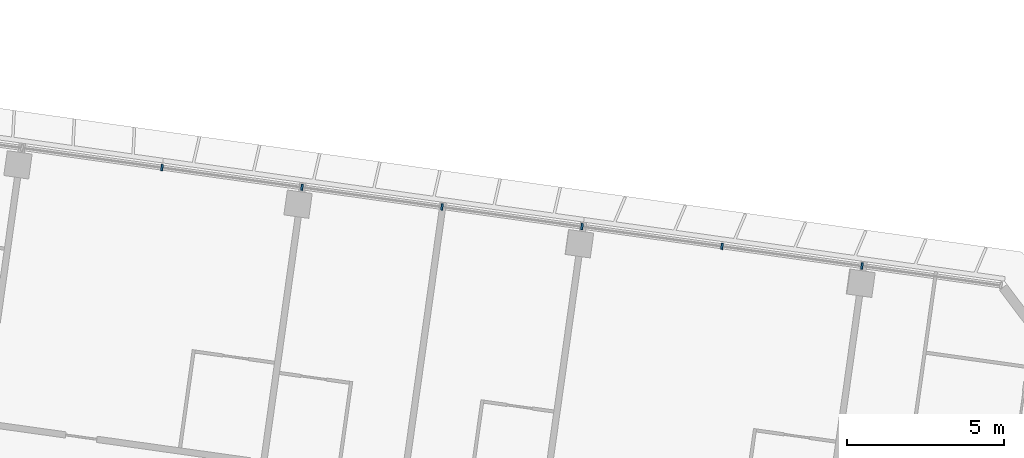
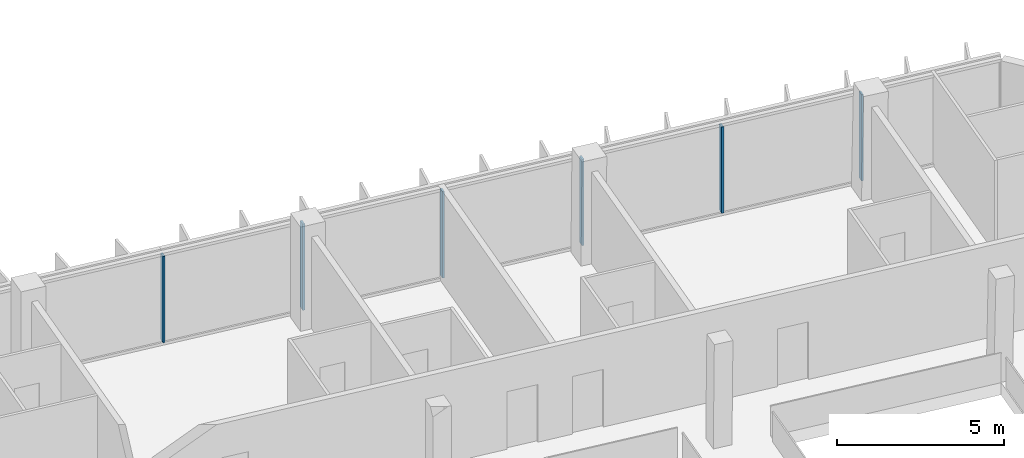
# One storey, part 5 of 26: 6 members, 1 element without a shape of its own.
"""IFC4 building model written with IfcOpenShell, lengths in metres."""

from ifc_helpers import new_model, si_unit, direction, frame, origin, origin_2d, place, context, subcontext, project, spatial, rectangle, extrude, material, material_profile, profile_set, type_object, element, aggregate, save


model = new_model("IFC4")

# Units and contexts
model_context = context("Model", 3, precision=1e-05, world=origin(), true_north=direction((0.0, 1.0)))
body_context = subcontext(model_context, "Body", "Model", "MODEL_VIEW")
ifc_project = project(units=[si_unit("LENGTHUNIT", "METRE"), si_unit("AREAUNIT", "SQUARE_METRE"), si_unit("VOLUMEUNIT", "CUBIC_METRE"), si_unit("PLANEANGLEUNIT", "RADIAN"), si_unit("MASSUNIT", "GRAM", prefix="KILO")], contexts=[model_context])

# Site, building, storey
site_placement = place(None, origin())
site = spatial("IfcSite", under=ifc_project, at=site_placement, CompositionType="ELEMENT")
building_placement = place(site_placement, origin())
building = spatial("IfcBuilding", under=site, at=building_placement, Name="Mirante Cascada Hotel Towers", CompositionType="ELEMENT")
storey_placement = place(building_placement, frame((0.0, 0.0, 161.2)))
storey = spatial("IfcBuildingStorey", under=building, at=storey_placement, Name="L37", CompositionType="ELEMENT", Elevation=161.2)

# Curtain wall, members
ifc_material_1 = material(Name="Aluminium mullion and transom frame with clear laminated glass", Category="aluminium")
curtain_wall_type = type_object("IfcCurtainWallType", Name="Ribbon curtain wall ECW1", PredefinedType="NOTDEFINED", material=ifc_material_1)
curtain_wall_placement = place(storey_placement, origin())
curtain_wall = element("IfcCurtainWall", 1, at=curtain_wall_placement, inside=storey, type_object=curtain_wall_type, Name="Front ribbon wall T1 L37", PredefinedType="NOTDEFINED")
ifc_material_2 = material(Name="Anodised aluminium extrusion", Category="aluminium")
ifc_material_profile = material_profile(ifc_material_2, rectangle(XDim=0.2, YDim=0.065, at=origin_2d()), Name="ECW1 MULLION 65x200")
ifc_profile_set = profile_set([ifc_material_profile], Name="Anodised aluminium extrusion")
member_type = type_object("IfcMemberType", Name="ECW1 mullion 65x200", PredefinedType="MULLION", material=ifc_profile_set)
member_1_placement = place(storey_placement, frame((-58.5194, 21.0434, 0.1), z_axis=(0.0, 0.0, 1.0), x_axis=(0.1391731, 0.9902681, 0.0)))
member_1 = element("IfcMember", 2, at=member_1_placement, type_object=member_type, Name="ECW1 mullion 7", PredefinedType="MULLION", context=body_context, shape_type="SweptSolid", body=[
    extrude(rectangle(XDim=0.2, YDim=0.065, at=origin_2d()), origin(), (0.0, 0.0, 1.0), 3.15),
])
member_2_placement = place(storey_placement, frame((-54.065, 20.4174, 0.1), z_axis=(0.0, 0.0, 1.0), x_axis=(0.1391731, 0.9902681, 0.0)))
member_2 = element("IfcMember", 3, at=member_2_placement, type_object=member_type, Name="ECW1 mullion 8", PredefinedType="MULLION", context=body_context, shape_type="SweptSolid", body=[
    extrude(rectangle(XDim=0.2, YDim=0.065, at=origin_2d()), origin(), (0.0, 0.0, 1.0), 3.15),
])
member_3_placement = place(storey_placement, frame((-49.6107, 19.7913, 0.1), z_axis=(0.0, 0.0, 1.0), x_axis=(0.1391731, 0.9902681, 0.0)))
member_3 = element("IfcMember", 4, at=member_3_placement, type_object=member_type, Name="ECW1 mullion 9", PredefinedType="MULLION", context=body_context, shape_type="SweptSolid", body=[
    extrude(rectangle(XDim=0.2, YDim=0.065, at=origin_2d()), origin(), (0.0, 0.0, 1.0), 3.15),
])
member_4_placement = place(storey_placement, frame((-45.1563, 19.1653, 0.1), z_axis=(0.0, 0.0, 1.0), x_axis=(0.1391731, 0.9902681, 0.0)))
member_4 = element("IfcMember", 5, at=member_4_placement, type_object=member_type, Name="ECW1 mullion 10", PredefinedType="MULLION", context=body_context, shape_type="SweptSolid", body=[
    extrude(rectangle(XDim=0.2, YDim=0.065, at=origin_2d()), origin(), (0.0, 0.0, 1.0), 3.15),
])
member_5_placement = place(storey_placement, frame((-40.7019, 18.5393, 0.1), z_axis=(0.0, 0.0, 1.0), x_axis=(0.1391731, 0.9902681, 0.0)))
member_5 = element("IfcMember", 6, at=member_5_placement, type_object=member_type, Name="ECW1 mullion 11", PredefinedType="MULLION", context=body_context, shape_type="SweptSolid", body=[
    extrude(rectangle(XDim=0.2, YDim=0.065, at=origin_2d()), origin(), (0.0, 0.0, 1.0), 3.15),
])
member_6_placement = place(storey_placement, frame((-36.2475, 17.9133, 0.1), z_axis=(0.0, 0.0, 1.0), x_axis=(0.1391731, 0.9902681, 0.0)))
member_6 = element("IfcMember", 7, at=member_6_placement, type_object=member_type, Name="ECW1 mullion 12", PredefinedType="MULLION", context=body_context, shape_type="SweptSolid", body=[
    extrude(rectangle(XDim=0.2, YDim=0.065, at=origin_2d()), origin(), (0.0, 0.0, 1.0), 3.15),
])
aggregate(curtain_wall, [member_1, member_2, member_3, member_4, member_5, member_6])

save(model, "model.ifc")
